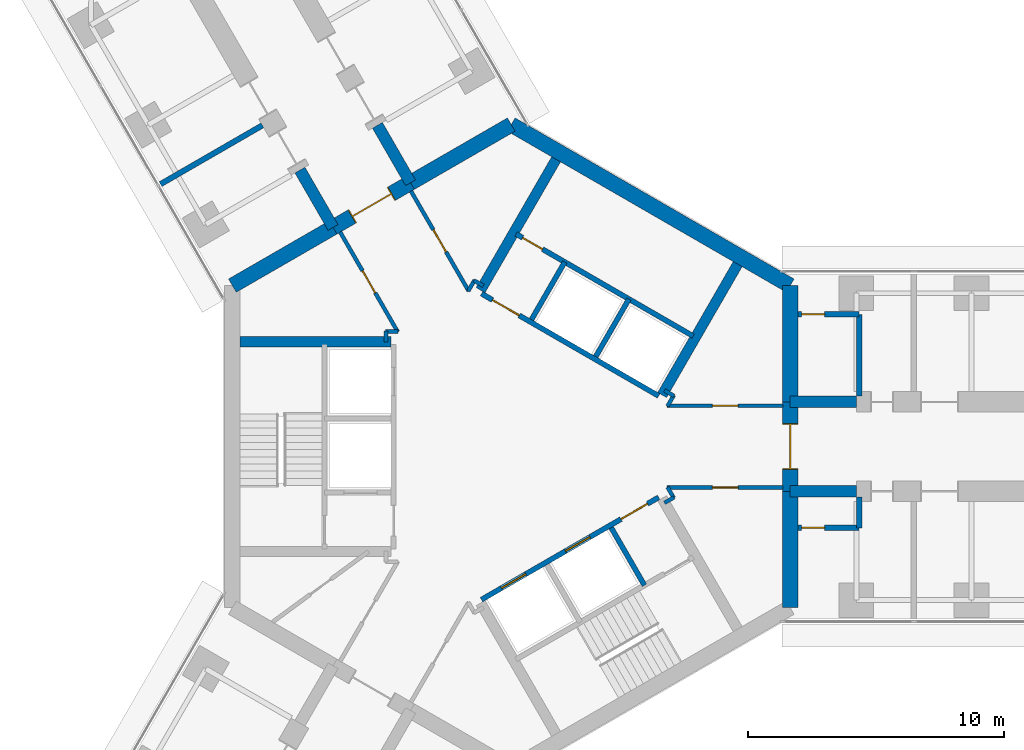
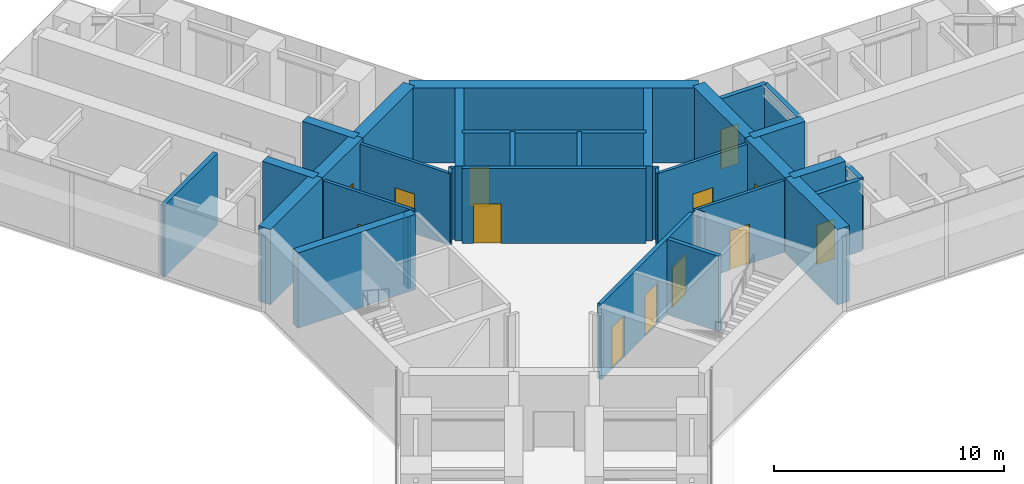
# One storey, part 16 of 21: 37 walls, 13 doors, 13 openings.
"""IFC4 building model written with IfcOpenShell, lengths in metres."""

from ifc_helpers import new_model, si_unit, direction, frame, frame_2d, origin, place, context, subcontext, project, spatial, rectangle, extrude, material, layer, layer_set, type_object, element, fill, save


model = new_model("IFC4")

# Units and contexts
model_context = context("Model", 3, precision=1e-05, world=origin(), true_north=direction((0.0, 1.0)))
body_context = subcontext(model_context, "Body", "Model", "MODEL_VIEW")
ifc_project = project(units=[si_unit("LENGTHUNIT", "METRE"), si_unit("AREAUNIT", "SQUARE_METRE"), si_unit("VOLUMEUNIT", "CUBIC_METRE"), si_unit("PLANEANGLEUNIT", "RADIAN"), si_unit("MASSUNIT", "GRAM", prefix="KILO")], contexts=[model_context])

# Site, building, storey
site_placement = place(None, origin())
site = spatial("IfcSite", under=ifc_project, at=site_placement, CompositionType="ELEMENT")
building_placement = place(site_placement, origin())
building = spatial("IfcBuilding", under=site, at=building_placement, Name="Upepo Twin Towers", CompositionType="ELEMENT")
storey_placement = place(building_placement, frame((0.0, 0.0, 101.5)))
storey = spatial("IfcBuildingStorey", under=building, at=storey_placement, Name="L24", CompositionType="ELEMENT", Elevation=101.5)

# Wall, opening, door
ifc_material_1 = material(Name="Concrete blockwork, plastered both faces", Category="masonry")
ifc_layer_1 = layer(ifc_material_1, 0.215087890625)
ifc_layer_set_1 = layer_set([ifc_layer_1], Name="Blockwork partition 215")
wall_type_1 = type_object("IfcWallType", Name="Blockwork partition 215", PredefinedType="PARTITIONING", material=ifc_layer_set_1)
wall_1_placement = place(storey_placement, frame((11.2080078125, 5.175048828125, 0.0), z_axis=(0.0, 0.0, 1.0), x_axis=(1.0, 0.0, 0.0)))
wall_1 = element("IfcWall", 1, at=wall_1_placement, inside=storey, type_object=wall_type_1, Name="T1 WC bay partition AL at 11.21", PredefinedType="PARTITIONING", context=body_context, shape_type="SweptSolid", body=[
    extrude(rectangle(XDim=2.39990234375, YDim=0.215087890625, at=frame_2d((1.199951171875, 0.0))), origin(), (0.0, 0.0, 1.0), 3.800048828125),
])
opening_1_placement = place(wall_1_placement, frame((0.14990234375, 0.0, 0.0)))
opening_1 = element("IfcOpeningElement", 2, at=opening_1_placement, cuts=wall_1, Name="Opening D14", PredefinedType="OPENING", context=body_context, shape_type="SweptSolid", body=[
    extrude(rectangle(XDim=0.89990234375, YDim=2.10009765625, at=frame_2d((0.449951171875, 1.050048828125))), frame((0.0, 0.117431640625, 0.0), z_axis=(0.0, -1.0, 0.0), x_axis=(1.0, 0.0, 0.0)), (0.0, 0.0, 1.0), 0.235107421875),
])
ifc_material_2 = material(Name="Timber doorset", Category="wood")
door_type_1 = type_object("IfcDoorType", Name="Office door 900 FD30", OperationType="SINGLE_SWING_LEFT", PredefinedType="DOOR", material=ifc_material_2)
door_1_placement = place(opening_1_placement, origin())
door_1 = element("IfcDoor", 3, at=door_1_placement, inside=storey, type_object=door_type_1, Name="T1 L24 WC bay inner room door", OperationType="SINGLE_SWING_LEFT", OverallHeight=2.10009765625, OverallWidth=0.89990234375, PredefinedType="DOOR", context=body_context, shape_type="SweptSolid", body=[
    extrude(rectangle(XDim=0.89990234375, YDim=2.10009765625, at=frame_2d((0.449951171875, 1.050048828125))), frame((0.0, 0.02490234375, 0.0), z_axis=(0.0, -1.0, 0.0), x_axis=(1.0, 0.0, 0.0)), (0.0, 0.0, 1.0), 0.050048828125),
])
fill(opening_1, door_1)

# Wall
wall_2_placement = place(storey_placement, frame((13.60791015625, 1.97509765625, 0.0), z_axis=(0.0, 0.0, 1.0), x_axis=(0.0, 1.0, 0.0)))
element("IfcWall", 4, at=wall_2_placement, inside=storey, type_object=wall_type_1, Name="T1 WC bay partition AL end at 13.61", PredefinedType="PARTITIONING", context=body_context, shape_type="SweptSolid", body=[
    extrude(rectangle(XDim=3.199951171875, YDim=0.215087890625, at=frame_2d((1.60009765625, 0.0))), origin(), (0.0, 0.0, 1.0), 3.800048828125),
])

# Wall, opening, door
wall_3_placement = place(storey_placement, frame((11.2080078125, -3.175048828125, 0.0), z_axis=(0.0, 0.0, 1.0), x_axis=(1.0, 0.0, 0.0)))
wall_3 = element("IfcWall", 5, at=wall_3_placement, inside=storey, type_object=wall_type_1, Name="T1 WC bay partition AR at 11.21", PredefinedType="PARTITIONING", context=body_context, shape_type="SweptSolid", body=[
    extrude(rectangle(XDim=2.39990234375, YDim=0.215087890625, at=frame_2d((1.199951171875, 0.0))), origin(), (0.0, 0.0, 1.0), 3.800048828125),
])
opening_2_placement = place(wall_3_placement, frame((0.14990234375, 0.0, 0.0)))
opening_2 = element("IfcOpeningElement", 6, at=opening_2_placement, cuts=wall_3, Name="Opening D14", PredefinedType="OPENING", context=body_context, shape_type="SweptSolid", body=[
    extrude(rectangle(XDim=0.89990234375, YDim=2.10009765625, at=frame_2d((0.449951171875, 1.050048828125))), frame((0.0, 0.117431640625, 0.0), z_axis=(0.0, -1.0, 0.0), x_axis=(1.0, 0.0, 0.0)), (0.0, 0.0, 1.0), 0.235107421875),
])
door_2_placement = place(opening_2_placement, origin())
door_2 = element("IfcDoor", 7, at=door_2_placement, inside=storey, type_object=door_type_1, Name="T1 L24 WC bay inner room door", OperationType="SINGLE_SWING_LEFT", OverallHeight=2.10009765625, OverallWidth=0.89990234375, PredefinedType="DOOR", context=body_context, shape_type="SweptSolid", body=[
    extrude(rectangle(XDim=0.89990234375, YDim=2.10009765625, at=frame_2d((0.449951171875, 1.050048828125))), frame((0.0, 0.02490234375, 0.0), z_axis=(0.0, -1.0, 0.0), x_axis=(1.0, 0.0, 0.0)), (0.0, 0.0, 1.0), 0.050048828125),
])
fill(opening_2, door_2)

# Walls
wall_4_placement = place(storey_placement, frame((13.60791015625, -1.97509765625, 0.0), z_axis=(0.0, 0.0, 1.0), x_axis=(0.0, -1.0, 0.0)))
element("IfcWall", 8, at=wall_4_placement, inside=storey, type_object=wall_type_1, Name="T1 WC bay partition AR end at 13.61", PredefinedType="PARTITIONING", context=body_context, shape_type="SweptSolid", body=[
    extrude(rectangle(XDim=1.199951171875, YDim=0.215087890625, at=frame_2d((0.60009765625, 0.0))), origin(), (0.0, 0.0, 1.0), 3.800048828125),
])
wall_5_placement = place(storey_placement, frame((-9.737060546875, 12.56494140625, 0.0), z_axis=(0.0, 0.0, 1.0), x_axis=(-0.866016770315, -0.500014953309, 0.0)))
element("IfcWall", 9, at=wall_5_placement, inside=storey, type_object=wall_type_1, Name="T1 partition BL at 15.75", PredefinedType="PARTITIONING", context=body_context, shape_type="SweptSolid", body=[
    extrude(rectangle(XDim=4.599853515625, YDim=0.215087890625, at=frame_2d((2.2998046875, 0.0))), origin(), (0.0, 0.0, 1.0), 3.800048828125),
])
ifc_material_3 = material(Name="Concrete C60/75", Category="concrete")
ifc_layer_2 = layer(ifc_material_3, 0.449951171875)
ifc_layer_set_2 = layer_set([ifc_layer_2], Name="Concrete C60/75")
wall_type_2 = type_object("IfcWallType", Name="Buttress wall 450 RC", PredefinedType="SHEAR", material=ifc_layer_set_2)
for number, where, z_axis, x_axis, name in (
    (10, (10.908447265625, 1.75, 0.0), (0.0, 0.0, 1.0), (1.0, 0.0, 0.0), "T1 wing A buttress wall L"),
    (11, (10.908447265625, -1.75, 0.0), (0.0, 0.0, 1.0), (1.0, 0.0, 0.0), "T1 wing A buttress wall R"),
):
    element("IfcWall", number, at=place(storey_placement, frame(where, z_axis=z_axis, x_axis=x_axis)), inside=storey, type_object=wall_type_2, Name=name, PredefinedType="SHEAR", context=body_context, shape_type="SweptSolid", body=[
        extrude(rectangle(XDim=2.591552734375, YDim=0.449951171875, at=frame_2d((1.2958984375, 0.0))), origin(), (0.0, 0.0, 1.0), 4.0),
    ])
for number, where, z_axis, x_axis, name in (
    (12, (-6.9697265625, 8.57177734375, 0.0), (0.0, 0.0, 1.0), (-0.499988811324, 0.866031863473, 0.0), "T1 wing B buttress wall L"),
    (13, (-3.938720703125, 10.32177734375, 0.0), (0.0, 0.0, 1.0), (-0.499918158782, 0.866072649678, 0.0), "T1 wing B buttress wall R"),
):
    element("IfcWall", number, at=place(storey_placement, frame(where, z_axis=z_axis, x_axis=x_axis)), inside=storey, type_object=wall_type_2, Name=name, PredefinedType="SHEAR", context=body_context, shape_type="SweptSolid", body=[
        extrude(rectangle(XDim=2.591796875, YDim=0.449951171875, at=frame_2d((1.2958984375, 0.0))), origin(), (0.0, 0.0, 1.0), 4.0),
    ])
ifc_material_4 = material(Name="Concrete C60/75", Category="concrete")
ifc_layer_3 = layer(ifc_material_4, 0.60009765625)
ifc_layer_set_3 = layer_set([ifc_layer_3], Name="Concrete C60/75")
wall_type_3 = type_object("IfcWallType", Name="Core wall 600 RC", PredefinedType="SHEAR", material=ifc_layer_set_3)
wall_6_placement = place(storey_placement, frame((10.908447265625, -6.2978515625, 0.0), z_axis=(0.0, 0.0, 1.0), x_axis=(0.0, 1.0, 0.0)))
element("IfcWall", 14, at=wall_6_placement, inside=storey, type_object=wall_type_3, Name="T1 core wall 000 R", PredefinedType="SHEAR", context=body_context, shape_type="SweptSolid", body=[
    extrude(rectangle(XDim=4.5478515625, YDim=0.60009765625, at=frame_2d((2.27392578125, 0.0))), origin(), (0.0, 0.0, 1.0), 4.0),
])

# Wall, opening, door
wall_7_placement = place(storey_placement, frame((10.908447265625, -1.75, 0.0), z_axis=(0.0, 0.0, 1.0), x_axis=(0.0, 1.0, 0.0)))
wall_7 = element("IfcWall", 15, at=wall_7_placement, inside=storey, type_object=wall_type_3, Name="T1 core wall 000", PredefinedType="SHEAR", context=body_context, shape_type="SweptSolid", body=[
    extrude(rectangle(XDim=3.5, YDim=0.60009765625, at=frame_2d((1.75, 0.0))), origin(), (0.0, 0.0, 1.0), 4.0),
])
opening_3_placement = place(wall_7_placement, frame((0.85009765625, 0.0, 0.0)))
opening_3 = element("IfcOpeningElement", 16, at=opening_3_placement, cuts=wall_7, Name="Opening D2", PredefinedType="OPENING", context=body_context, shape_type="SweptSolid", body=[
    extrude(rectangle(XDim=1.800048828125, YDim=2.10009765625, at=frame_2d((0.89990234375, 1.050048828125))), frame((0.0, 0.31005859375, 0.0), z_axis=(0.0, -1.0, 0.0), x_axis=(1.0, 0.0, 0.0)), (0.0, 0.0, 1.0), 0.6201171875),
])
ifc_material_5 = material(Name="Timber doorset", Category="wood")
door_type_2 = type_object("IfcDoorType", Name="Corridor double door 1800 FD60", OperationType="DOUBLE_DOOR_DOUBLE_SWING", PredefinedType="DOOR", material=ifc_material_5)
door_3_placement = place(opening_3_placement, origin())
door_3 = element("IfcDoor", 17, at=door_3_placement, inside=storey, type_object=door_type_2, Name="T1 L24 wing A corridor door", OperationType="DOUBLE_DOOR_DOUBLE_SWING", OverallHeight=2.10009765625, OverallWidth=1.800048828125, PredefinedType="DOOR", context=body_context, shape_type="SweptSolid", body=[
    extrude(rectangle(XDim=1.720048828125, YDim=2.06009765625, at=frame_2d((0.89990234375, 1.030029296875))), frame((0.0, 0.02490234375, 0.0), z_axis=(0.0, -1.0, 0.0), x_axis=(1.0, 0.0, 0.0)), (0.0, 0.0, 1.0), 0.050048828125),
    extrude(rectangle(XDim=0.04, YDim=2.10009765625, at=frame_2d((0.02001953125, 1.050048828125))), frame((0.0, 0.2998046875, 0.0), z_axis=(0.0, -1.0, 0.0), x_axis=(1.0, 0.0, 0.0)), (0.0, 0.0, 1.0), 0.599609375),
    extrude(rectangle(XDim=0.04, YDim=2.10009765625, at=frame_2d((1.780029296875, 1.050048828125))), frame((0.0, 0.2998046875, 0.0), z_axis=(0.0, -1.0, 0.0), x_axis=(1.0, 0.0, 0.0)), (0.0, 0.0, 1.0), 0.599609375),
    extrude(rectangle(XDim=1.720048828125, YDim=0.04, at=frame_2d((0.89990234375, 2.080078125))), frame((0.0, 0.2998046875, 0.0), z_axis=(0.0, -1.0, 0.0), x_axis=(1.0, 0.0, 0.0)), (0.0, 0.0, 1.0), 0.599609375),
])
fill(opening_3, door_3)

# Walls
wall_8_placement = place(storey_placement, frame((10.908447265625, 1.75, 0.0), z_axis=(0.0, 0.0, 1.0), x_axis=(0.0, 1.0, 0.0)))
element("IfcWall", 18, at=wall_8_placement, inside=storey, type_object=wall_type_3, Name="T1 core wall 000 L", PredefinedType="SHEAR", context=body_context, shape_type="SweptSolid", body=[
    extrude(rectangle(XDim=4.5478515625, YDim=0.60009765625, at=frame_2d((2.27392578125, 0.0))), origin(), (0.0, 0.0, 1.0), 4.0),
])
wall_9_placement = place(storey_placement, frame((10.908447265625, 6.2978515625, 0.0), z_axis=(0.0, 0.0, 1.0), x_axis=(-0.866021940709, 0.500005998175, 0.0)))
element("IfcWall", 19, at=wall_9_placement, inside=storey, type_object=wall_type_3, Name="T1 core wall 060", PredefinedType="SHEAR", context=body_context, shape_type="SweptSolid", body=[
    extrude(rectangle(XDim=12.595947265625, YDim=0.60009765625, at=frame_2d((6.2978515625, 0.0))), origin(), (0.0, 0.0, 1.0), 4.0),
])
wall_10_placement = place(storey_placement, frame((0.0, 12.595947265625, 0.0), z_axis=(0.0, 0.0, 1.0), x_axis=(-0.866011268655, -0.500024481964, 0.0)))
element("IfcWall", 20, at=wall_10_placement, inside=storey, type_object=wall_type_3, Name="T1 core wall 120 R", PredefinedType="SHEAR", context=body_context, shape_type="SweptSolid", body=[
    extrude(rectangle(XDim=4.548095703125, YDim=0.60009765625, at=frame_2d((2.27392578125, 0.0))), origin(), (0.0, 0.0, 1.0), 4.0),
])

# Wall, opening, door
wall_11_placement = place(storey_placement, frame((-3.938720703125, 10.32177734375, 0.0), z_axis=(0.0, 0.0, 1.0), x_axis=(-0.866019471182, -0.500010275428, 0.0)))
wall_11 = element("IfcWall", 21, at=wall_11_placement, inside=storey, type_object=wall_type_3, Name="T1 core wall 120", PredefinedType="SHEAR", context=body_context, shape_type="SweptSolid", body=[
    extrude(rectangle(XDim=3.5, YDim=0.60009765625, at=frame_2d((1.75, 0.0))), origin(), (0.0, 0.0, 1.0), 4.0),
])
opening_4_placement = place(wall_11_placement, frame((0.85009765625, 0.0, 0.0)))
opening_4 = element("IfcOpeningElement", 22, at=opening_4_placement, cuts=wall_11, Name="Opening D2", PredefinedType="OPENING", context=body_context, shape_type="SweptSolid", body=[
    extrude(rectangle(XDim=1.800048828125, YDim=2.10009765625, at=frame_2d((0.89990234375, 1.050048828125))), frame((0.0, 0.31005859375, 0.0), z_axis=(0.0, -1.0, 0.0), x_axis=(1.0, 0.0, 0.0)), (0.0, 0.0, 1.0), 0.6201171875),
])
door_4_placement = place(opening_4_placement, origin())
door_4 = element("IfcDoor", 23, at=door_4_placement, inside=storey, type_object=door_type_2, Name="T1 L24 wing B corridor door", OperationType="DOUBLE_DOOR_DOUBLE_SWING", OverallHeight=2.10009765625, OverallWidth=1.800048828125, PredefinedType="DOOR", context=body_context, shape_type="SweptSolid", body=[
    extrude(rectangle(XDim=1.720048828125, YDim=2.06009765625, at=frame_2d((0.89990234375, 1.030029296875))), frame((0.0, 0.02490234375, 0.0), z_axis=(0.0, -1.0, 0.0), x_axis=(1.0, 0.0, 0.0)), (0.0, 0.0, 1.0), 0.050048828125),
    extrude(rectangle(XDim=0.04, YDim=2.10009765625, at=frame_2d((0.02001953125, 1.050048828125))), frame((0.0, 0.2998046875, 0.0), z_axis=(0.0, -1.0, 0.0), x_axis=(1.0, 0.0, 0.0)), (0.0, 0.0, 1.0), 0.599609375),
    extrude(rectangle(XDim=0.04, YDim=2.10009765625, at=frame_2d((1.780029296875, 1.050048828125))), frame((0.0, 0.2998046875, 0.0), z_axis=(0.0, -1.0, 0.0), x_axis=(1.0, 0.0, 0.0)), (0.0, 0.0, 1.0), 0.599609375),
    extrude(rectangle(XDim=1.720048828125, YDim=0.04, at=frame_2d((0.89990234375, 2.080078125))), frame((0.0, 0.2998046875, 0.0), z_axis=(0.0, -1.0, 0.0), x_axis=(1.0, 0.0, 0.0)), (0.0, 0.0, 1.0), 0.599609375),
])
fill(opening_4, door_4)

# Wall
wall_12_placement = place(storey_placement, frame((-6.9697265625, 8.57177734375, 0.0), z_axis=(0.0, 0.0, 1.0), x_axis=(-0.866034513004, -0.499984222037, 0.0)))
element("IfcWall", 24, at=wall_12_placement, inside=storey, type_object=wall_type_3, Name="T1 core wall 120 L", PredefinedType="SHEAR", context=body_context, shape_type="SweptSolid", body=[
    extrude(rectangle(XDim=4.548095703125, YDim=0.60009765625, at=frame_2d((2.27392578125, 0.0))), origin(), (0.0, 0.0, 1.0), 4.0),
])

# Wall, opening, door
ifc_material_6 = material(Name="Concrete C40/50", Category="concrete")
ifc_layer_4 = layer(ifc_material_6, 0.199951171875)
ifc_layer_set_4 = layer_set([ifc_layer_4], Name="Concrete C40/50")
wall_type_4 = type_object("IfcWallType", Name="Shaft wall 200 RC", PredefinedType="SHEAR", material=ifc_layer_set_4)
wall_13_placement = place(storey_placement, frame((5.76416015625, 1.983642578125, 0.0), z_axis=(0.0, 0.0, 1.0), x_axis=(-0.866026010844, 0.49999894854, 0.0)))
wall_13 = element("IfcWall", 25, at=wall_13_placement, inside=storey, type_object=wall_type_4, Name="T1 core W60 front wall", PredefinedType="SHEAR", context=body_context, shape_type="SweptSolid", body=[
    extrude(rectangle(XDim=8.0, YDim=0.199951171875, at=frame_2d((4.0, 0.0))), origin(), (0.0, 0.0, 1.0), 4.0),
])
opening_5_placement = place(wall_13_placement, frame((6.300048828125, 0.0, 0.0)))
opening_5 = element("IfcOpeningElement", 26, at=opening_5_placement, cuts=wall_13, Name="Opening D4", PredefinedType="OPENING", context=body_context, shape_type="SweptSolid", body=[
    extrude(rectangle(XDim=1.199951171875, YDim=2.10009765625, at=frame_2d((0.60009765625, 1.050048828125))), frame((0.0, 0.10986328125, 0.0), z_axis=(0.0, -1.0, 0.0), x_axis=(1.0, 0.0, 0.0)), (0.0, 0.0, 1.0), 0.219970703125),
])
ifc_material_7 = material(Name="Timber doorset", Category="wood")
door_type_3 = type_object("IfcDoorType", Name="Lobby door 1200 FD60", OperationType="SINGLE_SWING_LEFT", PredefinedType="DOOR", material=ifc_material_7)
door_5_placement = place(opening_5_placement, origin())
door_5 = element("IfcDoor", 27, at=door_5_placement, inside=storey, type_object=door_type_3, Name="T1 L24 W60 lobby door", OperationType="SINGLE_SWING_RIGHT", OverallHeight=2.10009765625, OverallWidth=1.199951171875, PredefinedType="DOOR", context=body_context, shape_type="SweptSolid", body=[
    extrude(rectangle(XDim=1.199951171875, YDim=2.10009765625, at=frame_2d((0.60009765625, 1.050048828125))), frame((0.0, 0.02490234375, 0.0), z_axis=(0.0, -1.0, 0.0), x_axis=(1.0, 0.0, 0.0)), (0.0, 0.0, 1.0), 0.050048828125),
])
fill(opening_5, door_5)

# Walls
for number, where, z_axis, x_axis, name in (
    (28, (3.302734375, 3.520263671875, 0.0), (0.0, 0.0, 1.0), (0.499936506574, 0.866062058628, 0.0), "T1 core W60 shaft divider"),
    (29, (0.791259765625, 4.97021484375, 0.0), (0.0, 0.0, 1.0), (0.499936506574, 0.866062058628, 0.0), "T1 core W60 lobby wall"),
):
    element("IfcWall", number, at=place(storey_placement, frame(where, z_axis=z_axis, x_axis=x_axis)), inside=storey, type_object=wall_type_4, Name=name, PredefinedType="SHEAR", context=body_context, shape_type="SweptSolid", body=[
        extrude(rectangle(XDim=2.599853515625, YDim=0.199951171875, at=frame_2d((1.2998046875, 0.0))), origin(), (0.0, 0.0, 1.0), 4.0),
    ])

# Wall, opening, door
wall_14_placement = place(storey_placement, frame((7.114013671875, 4.322021484375, 0.0), z_axis=(0.0, 0.0, 1.0), x_axis=(-0.866026010844, 0.49999894854, 0.0)))
wall_14 = element("IfcWall", 30, at=wall_14_placement, inside=storey, type_object=wall_type_4, Name="T1 core W60 stair wall", PredefinedType="SHEAR", context=body_context, shape_type="SweptSolid", body=[
    extrude(rectangle(XDim=8.0, YDim=0.199951171875, at=frame_2d((4.0, 0.0))), origin(), (0.0, 0.0, 1.0), 4.0),
])
opening_6_placement = place(wall_14_placement, frame((6.800048828125, 0.0, 0.0)))
opening_6 = element("IfcOpeningElement", 31, at=opening_6_placement, cuts=wall_14, Name="Opening D9", PredefinedType="OPENING", context=body_context, shape_type="SweptSolid", body=[
    extrude(rectangle(XDim=0.89990234375, YDim=2.10009765625, at=frame_2d((0.449951171875, 1.050048828125))), frame((0.0, 0.10986328125, 0.0), z_axis=(0.0, -1.0, 0.0), x_axis=(1.0, 0.0, 0.0)), (0.0, 0.0, 1.0), 0.219970703125),
])
ifc_material_8 = material(Name="Timber doorset", Category="wood")
door_type_4 = type_object("IfcDoorType", Name="Riser door 900 FD60", OperationType="SINGLE_SWING_LEFT", PredefinedType="DOOR", material=ifc_material_8)
door_6_placement = place(opening_6_placement, origin())
door_6 = element("IfcDoor", 32, at=door_6_placement, inside=storey, type_object=door_type_4, Name="T1 L24 riser door", OperationType="SINGLE_SWING_RIGHT", OverallHeight=2.10009765625, OverallWidth=0.89990234375, PredefinedType="DOOR", context=body_context, shape_type="SweptSolid", body=[
    extrude(rectangle(XDim=0.89990234375, YDim=2.10009765625, at=frame_2d((0.449951171875, 1.050048828125))), frame((0.0, 0.02490234375, 0.0), z_axis=(0.0, -1.0, 0.0), x_axis=(1.0, 0.0, 0.0)), (0.0, 0.0, 1.0), 0.050048828125),
])
fill(opening_6, door_6)

# Wall, openings, doors
wall_15_placement = place(storey_placement, frame((-1.1640625, -5.983642578125, 0.0), z_axis=(0.0, 0.0, 1.0), x_axis=(0.866026010844, 0.49999894854, 0.0)))
wall_15 = element("IfcWall", 33, at=wall_15_placement, inside=storey, type_object=wall_type_4, Name="T1 core W300 front wall", PredefinedType="SHEAR", context=body_context, shape_type="SweptSolid", body=[
    extrude(rectangle(XDim=8.0, YDim=0.199951171875, at=frame_2d((4.0, 0.0))), origin(), (0.0, 0.0, 1.0), 4.0),
])
opening_7_placement = place(wall_15_placement, frame((6.300048828125, 0.0, 0.0)))
opening_7 = element("IfcOpeningElement", 34, at=opening_7_placement, cuts=wall_15, Name="Opening D4", PredefinedType="OPENING", context=body_context, shape_type="SweptSolid", body=[
    extrude(rectangle(XDim=1.199951171875, YDim=2.10009765625, at=frame_2d((0.60009765625, 1.050048828125))), frame((0.0, 0.10986328125, 0.0), z_axis=(0.0, -1.0, 0.0), x_axis=(1.0, 0.0, 0.0)), (0.0, 0.0, 1.0), 0.219970703125),
])
opening_8_placement = place(wall_15_placement, frame((0.89990234375, 0.0, 0.0)))
opening_8 = element("IfcOpeningElement", 35, at=opening_8_placement, cuts=wall_15, Name="Opening LD1", PredefinedType="OPENING", context=body_context, shape_type="SweptSolid", body=[
    extrude(rectangle(XDim=1.10009765625, YDim=2.199951171875, at=frame_2d((0.550048828125, 1.10009765625))), frame((0.0, 0.10986328125, 0.0), z_axis=(0.0, -1.0, 0.0), x_axis=(1.0, 0.0, 0.0)), (0.0, 0.0, 1.0), 0.219970703125),
])
opening_9_placement = place(wall_15_placement, frame((3.800048828125, 0.0, 0.0)))
opening_9 = element("IfcOpeningElement", 36, at=opening_9_placement, cuts=wall_15, Name="Opening LD1", PredefinedType="OPENING", context=body_context, shape_type="SweptSolid", body=[
    extrude(rectangle(XDim=1.10009765625, YDim=2.199951171875, at=frame_2d((0.550048828125, 1.10009765625))), frame((0.0, 0.10986328125, 0.0), z_axis=(0.0, -1.0, 0.0), x_axis=(1.0, 0.0, 0.0)), (0.0, 0.0, 1.0), 0.219970703125),
])
ifc_material_9 = material(Name="Steel doorset", Category="steel")
door_type_5 = type_object("IfcDoorType", Name="Lift landing door 1100", OperationType="DOUBLE_DOOR_SLIDING", PredefinedType="DOOR", material=ifc_material_9)
door_7_placement = place(opening_8_placement, origin())
door_7 = element("IfcDoor", 37, at=door_7_placement, inside=storey, type_object=door_type_5, Name="T1 L24 lift ML1 landing door", OperationType="DOUBLE_DOOR_SLIDING", OverallHeight=2.199951171875, OverallWidth=1.10009765625, PredefinedType="DOOR", context=body_context, shape_type="SweptSolid", body=[
    extrude(rectangle(XDim=1.10009765625, YDim=2.199951171875, at=frame_2d((0.550048828125, 1.10009765625))), frame((0.0, 0.02490234375, 0.0), z_axis=(0.0, -1.0, 0.0), x_axis=(1.0, 0.0, 0.0)), (0.0, 0.0, 1.0), 0.050048828125),
])
fill(opening_8, door_7)
door_8_placement = place(opening_9_placement, origin())
door_8 = element("IfcDoor", 38, at=door_8_placement, inside=storey, type_object=door_type_5, Name="T1 L24 lift ML2 landing door", OperationType="DOUBLE_DOOR_SLIDING", OverallHeight=2.199951171875, OverallWidth=1.10009765625, PredefinedType="DOOR", context=body_context, shape_type="SweptSolid", body=[
    extrude(rectangle(XDim=1.10009765625, YDim=2.199951171875, at=frame_2d((0.550048828125, 1.10009765625))), frame((0.0, 0.02490234375, 0.0), z_axis=(0.0, -1.0, 0.0), x_axis=(1.0, 0.0, 0.0)), (0.0, 0.0, 1.0), 0.050048828125),
])
fill(opening_9, door_8)
door_9_placement = place(opening_7_placement, origin())
door_9 = element("IfcDoor", 39, at=door_9_placement, inside=storey, type_object=door_type_3, Name="T1 L24 W300 lobby door", OperationType="SINGLE_SWING_RIGHT", OverallHeight=2.10009765625, OverallWidth=1.199951171875, PredefinedType="DOOR", context=body_context, shape_type="SweptSolid", body=[
    extrude(rectangle(XDim=1.199951171875, YDim=2.10009765625, at=frame_2d((0.60009765625, 1.050048828125))), frame((0.0, 0.02490234375, 0.0), z_axis=(0.0, -1.0, 0.0), x_axis=(1.0, 0.0, 0.0)), (0.0, 0.0, 1.0), 0.050048828125),
])
fill(opening_7, door_9)

# Walls
wall_16_placement = place(storey_placement, frame((3.908935546875, -3.17041015625, 0.0), z_axis=(0.0, 0.0, 1.0), x_axis=(0.49997716683, -0.86603858612, 0.0)))
element("IfcWall", 40, at=wall_16_placement, inside=storey, type_object=wall_type_4, Name="T1 core W300 lobby wall", PredefinedType="SHEAR", context=body_context, shape_type="SweptSolid", body=[
    extrude(rectangle(XDim=2.599609375, YDim=0.199951171875, at=frame_2d((1.2998046875, 0.0))), origin(), (0.0, 0.0, 1.0), 4.0),
])
ifc_material_10 = material(Name="Concrete C40/50", Category="concrete")
ifc_layer_5 = layer(ifc_material_10, 0.39990234375)
ifc_layer_set_5 = layer_set([ifc_layer_5], Name="Concrete C40/50")
wall_type_5 = type_object("IfcWallType", Name="Shaft wall 400 RC", PredefinedType="SHEAR", material=ifc_layer_set_5)
wall_17_placement = place(storey_placement, frame((-1.20068359375, 6.120361328125, 0.0), z_axis=(0.0, 0.0, 1.0), x_axis=(0.49999668571, 0.866027317282, 0.0)))
element("IfcWall", 41, at=wall_17_placement, inside=storey, type_object=wall_type_5, Name="T1 core W60 side wall N", PredefinedType="SHEAR", context=body_context, shape_type="SweptSolid", body=[
    extrude(rectangle(XDim=5.908203125, YDim=0.39990234375, at=frame_2d((2.9541015625, 0.0))), origin(), (0.0, 0.0, 1.0), 4.0),
])
for number, where, z_axis, x_axis, name in (
    (42, (5.900634765625, 2.020263671875, 0.0), (0.0, 0.0, 1.0), (0.500027676417, 0.866009424208, 0.0), "T1 core W60 side wall S"),
    (43, (-4.699951171875, 4.10009765625, 0.0), (0.0, 0.0, 1.0), (-1.0, 0.0, 0.0), "T1 core W180 side wall S"),
):
    element("IfcWall", number, at=place(storey_placement, frame(where, z_axis=z_axis, x_axis=x_axis)), inside=storey, type_object=wall_type_5, Name=name, PredefinedType="SHEAR", context=body_context, shape_type="SweptSolid", body=[
        extrude(rectangle(XDim=5.908447265625, YDim=0.39990234375, at=frame_2d((2.9541015625, 0.0))), origin(), (0.0, 0.0, 1.0), 4.0),
    ])
ifc_material_11 = material(Name="Gypsum board on steel studs", Category="steel")
ifc_layer_6 = layer(ifc_material_11, 0.14990234375)
ifc_layer_set_6 = layer_set([ifc_layer_6], Name="Teaching partition 150 acoustic")
wall_type_6 = type_object("IfcWallType", Name="Teaching partition 150 acoustic", PredefinedType="PARTITIONING", material=ifc_layer_set_6)
for number, where, z_axis, x_axis, name in (
    (44, (6.364501953125, -1.9833984375, 0.0), (0.0, 0.0, 1.0), (-0.865892400268, -0.500230298122, 0.0), "T1 core room partition 1"),
    (45, (-4.89990234375, 4.090087890625, 0.0), (0.0, 0.0, 1.0), (0.0, 1.0, 0.0), "T1 core room partition 8"),
):
    element("IfcWall", number, at=place(storey_placement, frame(where, z_axis=z_axis, x_axis=x_axis)), inside=storey, type_object=wall_type_6, Name=name, PredefinedType="PARTITIONING", context=body_context, shape_type="SweptSolid", body=[
        extrude(rectangle(XDim=0.429931640625, YDim=0.14990234375, at=frame_2d((0.21484375, 0.0))), origin(), (0.0, 0.0, 1.0), 3.800048828125),
    ])
wall_18_placement = place(storey_placement, frame((-4.919921875, 4.5, 0.0), z_axis=(0.0, 0.0, 1.0), x_axis=(1.0, 0.0, 0.0)))
element("IfcWall", 46, at=wall_18_placement, inside=storey, type_object=wall_type_6, Name="T1 core room partition 9", PredefinedType="PARTITIONING", context=body_context, shape_type="SweptSolid", body=[
    extrude(rectangle(XDim=0.494384765625, YDim=0.14990234375, at=frame_2d((0.2470703125, 0.0))), origin(), (0.0, 0.0, 1.0), 3.800048828125),
])

# Wall, opening, door
wall_19_placement = place(storey_placement, frame((-4.435546875, 4.482666015625, 0.0), z_axis=(0.0, 0.0, 1.0), x_axis=(-0.500009315796, 0.86602002524, 0.0)))
wall_19 = element("IfcWall", 47, at=wall_19_placement, inside=storey, type_object=wall_type_6, Name="T1 core room partition 10", PredefinedType="PARTITIONING", context=body_context, shape_type="SweptSolid", body=[
    extrude(rectangle(XDim=4.5185546875, YDim=0.14990234375, at=frame_2d((2.25927734375, 0.0))), origin(), (0.0, 0.0, 1.0), 3.800048828125),
])
opening_10_placement = place(wall_19_placement, frame((1.769287109375, 0.0, 0.0)))
opening_10 = element("IfcOpeningElement", 48, at=opening_10_placement, cuts=wall_19, Name="Opening D1", PredefinedType="OPENING", context=body_context, shape_type="SweptSolid", body=[
    extrude(rectangle(XDim=1.0, YDim=2.10009765625, at=frame_2d((0.5, 1.050048828125))), frame((0.0, 0.0849609375, 0.0), z_axis=(0.0, -1.0, 0.0), x_axis=(1.0, 0.0, 0.0)), (0.0, 0.0, 1.0), 0.169921875),
])
ifc_material_12 = material(Name="Timber doorset", Category="wood")
door_type_6 = type_object("IfcDoorType", Name="Room door 1000 FD30", OperationType="SINGLE_SWING_LEFT", PredefinedType="DOOR", material=ifc_material_12)
door_10_placement = place(opening_10_placement, origin())
door_10 = element("IfcDoor", 49, at=door_10_placement, inside=storey, type_object=door_type_6, Name="T1 L24 core room door K7", OperationType="SINGLE_SWING_RIGHT", OverallHeight=2.10009765625, OverallWidth=1.0, PredefinedType="DOOR", context=body_context, shape_type="SweptSolid", body=[
    extrude(rectangle(XDim=1.0, YDim=2.10009765625, at=frame_2d((0.5, 1.050048828125))), frame((0.0, 0.02490234375, 0.0), z_axis=(0.0, -1.0, 0.0), x_axis=(1.0, 0.0, 0.0)), (0.0, 0.0, 1.0), 0.050048828125),
])
fill(opening_10, door_10)

wall_20_placement = place(storey_placement, frame((-3.923583984375, 9.99560546875, 0.0), z_axis=(0.0, 0.0, 1.0), x_axis=(0.500032713409, -0.866006515865, 0.0)))
wall_20 = element("IfcWall", 50, at=wall_20_placement, inside=storey, type_object=wall_type_6, Name="T1 core room partition 11", PredefinedType="PARTITIONING", context=body_context, shape_type="SweptSolid", body=[
    extrude(rectangle(XDim=4.518310546875, YDim=0.14990234375, at=frame_2d((2.25927734375, 0.0))), origin(), (0.0, 0.0, 1.0), 3.800048828125),
])
opening_11_placement = place(wall_20_placement, frame((1.7490234375, 0.0, 0.0)))
opening_11 = element("IfcOpeningElement", 51, at=opening_11_placement, cuts=wall_20, Name="Opening D1", PredefinedType="OPENING", context=body_context, shape_type="SweptSolid", body=[
    extrude(rectangle(XDim=1.0, YDim=2.10009765625, at=frame_2d((0.5, 1.050048828125))), frame((0.0, 0.0849609375, 0.0), z_axis=(0.0, -1.0, 0.0), x_axis=(1.0, 0.0, 0.0)), (0.0, 0.0, 1.0), 0.169921875),
])
door_11_placement = place(opening_11_placement, origin())
door_11 = element("IfcDoor", 52, at=door_11_placement, inside=storey, type_object=door_type_6, Name="T1 L24 core room door K6", OperationType="SINGLE_SWING_LEFT", OverallHeight=2.10009765625, OverallWidth=1.0, PredefinedType="DOOR", context=body_context, shape_type="SweptSolid", body=[
    extrude(rectangle(XDim=1.0, YDim=2.10009765625, at=frame_2d((0.5, 1.050048828125))), frame((0.0, 0.02490234375, 0.0), z_axis=(0.0, -1.0, 0.0), x_axis=(1.0, 0.0, 0.0)), (0.0, 0.0, 1.0), 0.050048828125),
])
fill(opening_11, door_11)

# Walls
wall_21_placement = place(storey_placement, frame((-1.684326171875, 6.082763671875, 0.0), z_axis=(0.0, 0.0, 1.0), x_axis=(0.50033519877, 0.865831790172, 0.0)))
element("IfcWall", 53, at=wall_21_placement, inside=storey, type_object=wall_type_6, Name="T1 core room partition 12", PredefinedType="PARTITIONING", context=body_context, shape_type="SweptSolid", body=[
    extrude(rectangle(XDim=0.494384765625, YDim=0.14990234375, at=frame_2d((0.2470703125, 0.0))), origin(), (0.0, 0.0, 1.0), 3.800048828125),
])
for number, where, z_axis, x_axis, name in (
    (54, (-1.46435546875, 6.50341796875, 0.0), (0.0, 0.0, 1.0), (0.866138304741, -0.499804398801, 0.0), "T1 core room partition 13"),
    (55, (5.9921875, 2.198486328125, 0.0), (0.0, 0.0, 1.0), (0.865892400268, -0.500230298122, 0.0), "T1 core room partition 14"),
):
    element("IfcWall", number, at=place(storey_placement, frame(where, z_axis=z_axis, x_axis=x_axis)), inside=storey, type_object=wall_type_6, Name=name, PredefinedType="PARTITIONING", context=body_context, shape_type="SweptSolid", body=[
        extrude(rectangle(XDim=0.429931640625, YDim=0.14990234375, at=frame_2d((0.21484375, 0.0))), origin(), (0.0, 0.0, 1.0), 3.800048828125),
    ])
wall_22_placement = place(storey_placement, frame((6.357177734375, 2.0107421875, 0.0), z_axis=(0.0, 0.0, 1.0), x_axis=(-0.50033519877, -0.865831790172, 0.0)))
element("IfcWall", 56, at=wall_22_placement, inside=storey, type_object=wall_type_6, Name="T1 core room partition 15", PredefinedType="PARTITIONING", context=body_context, shape_type="SweptSolid", body=[
    extrude(rectangle(XDim=0.494384765625, YDim=0.14990234375, at=frame_2d((0.2470703125, 0.0))), origin(), (0.0, 0.0, 1.0), 3.800048828125),
])

# Wall, opening, door
wall_23_placement = place(storey_placement, frame((6.099853515625, 1.60009765625, 0.0), z_axis=(0.0, 0.0, 1.0), x_axis=(1.0, 0.0, 0.0)))
wall_23 = element("IfcWall", 57, at=wall_23_placement, inside=storey, type_object=wall_type_6, Name="T1 core room partition 16", PredefinedType="PARTITIONING", context=body_context, shape_type="SweptSolid", body=[
    extrude(rectangle(XDim=4.5185546875, YDim=0.14990234375, at=frame_2d((2.25927734375, 0.0))), origin(), (0.0, 0.0, 1.0), 3.800048828125),
])
opening_12_placement = place(wall_23_placement, frame((1.769287109375, 0.0, 0.0)))
opening_12 = element("IfcOpeningElement", 58, at=opening_12_placement, cuts=wall_23, Name="Opening D1", PredefinedType="OPENING", context=body_context, shape_type="SweptSolid", body=[
    extrude(rectangle(XDim=1.0, YDim=2.10009765625, at=frame_2d((0.5, 1.050048828125))), frame((0.0, 0.0849609375, 0.0), z_axis=(0.0, -1.0, 0.0), x_axis=(1.0, 0.0, 0.0)), (0.0, 0.0, 1.0), 0.169921875),
])
door_12_placement = place(opening_12_placement, origin())
door_12 = element("IfcDoor", 59, at=door_12_placement, inside=storey, type_object=door_type_6, Name="T1 L24 core room door K5", OperationType="SINGLE_SWING_RIGHT", OverallHeight=2.10009765625, OverallWidth=1.0, PredefinedType="DOOR", context=body_context, shape_type="SweptSolid", body=[
    extrude(rectangle(XDim=1.0, YDim=2.10009765625, at=frame_2d((0.5, 1.050048828125))), frame((0.0, 0.02490234375, 0.0), z_axis=(0.0, -1.0, 0.0), x_axis=(1.0, 0.0, 0.0)), (0.0, 0.0, 1.0), 0.050048828125),
])
fill(opening_12, door_12)

wall_24_placement = place(storey_placement, frame((10.618408203125, -1.60009765625, 0.0), z_axis=(0.0, 0.0, 1.0), x_axis=(-1.0, 0.0, 0.0)))
wall_24 = element("IfcWall", 60, at=wall_24_placement, inside=storey, type_object=wall_type_6, Name="T1 core room partition 17", PredefinedType="PARTITIONING", context=body_context, shape_type="SweptSolid", body=[
    extrude(rectangle(XDim=4.5185546875, YDim=0.14990234375, at=frame_2d((2.25927734375, 0.0))), origin(), (0.0, 0.0, 1.0), 3.800048828125),
])
opening_13_placement = place(wall_24_placement, frame((1.7490234375, 0.0, 0.0)))
opening_13 = element("IfcOpeningElement", 61, at=opening_13_placement, cuts=wall_24, Name="Opening D1", PredefinedType="OPENING", context=body_context, shape_type="SweptSolid", body=[
    extrude(rectangle(XDim=1.0, YDim=2.10009765625, at=frame_2d((0.5, 1.050048828125))), frame((0.0, 0.0849609375, 0.0), z_axis=(0.0, -1.0, 0.0), x_axis=(1.0, 0.0, 0.0)), (0.0, 0.0, 1.0), 0.169921875),
])
door_13_placement = place(opening_13_placement, origin())
door_13 = element("IfcDoor", 62, at=door_13_placement, inside=storey, type_object=door_type_6, Name="T1 L24 core room door K4", OperationType="SINGLE_SWING_LEFT", OverallHeight=2.10009765625, OverallWidth=1.0, PredefinedType="DOOR", context=body_context, shape_type="SweptSolid", body=[
    extrude(rectangle(XDim=1.0, YDim=2.10009765625, at=frame_2d((0.5, 1.050048828125))), frame((0.0, 0.02490234375, 0.0), z_axis=(0.0, -1.0, 0.0), x_axis=(1.0, 0.0, 0.0)), (0.0, 0.0, 1.0), 0.050048828125),
])
fill(opening_13, door_13)

# Wall
wall_25_placement = place(storey_placement, frame((6.10986328125, -1.582763671875, 0.0), z_axis=(0.0, 0.0, 1.0), x_axis=(0.50033519877, -0.865831790172, 0.0)))
element("IfcWall", 63, at=wall_25_placement, inside=storey, type_object=wall_type_6, Name="T1 core room partition 18", PredefinedType="PARTITIONING", context=body_context, shape_type="SweptSolid", body=[
    extrude(rectangle(XDim=0.494384765625, YDim=0.14990234375, at=frame_2d((0.2470703125, 0.0))), origin(), (0.0, 0.0, 1.0), 3.800048828125),
])

save(model, "model.ifc")
